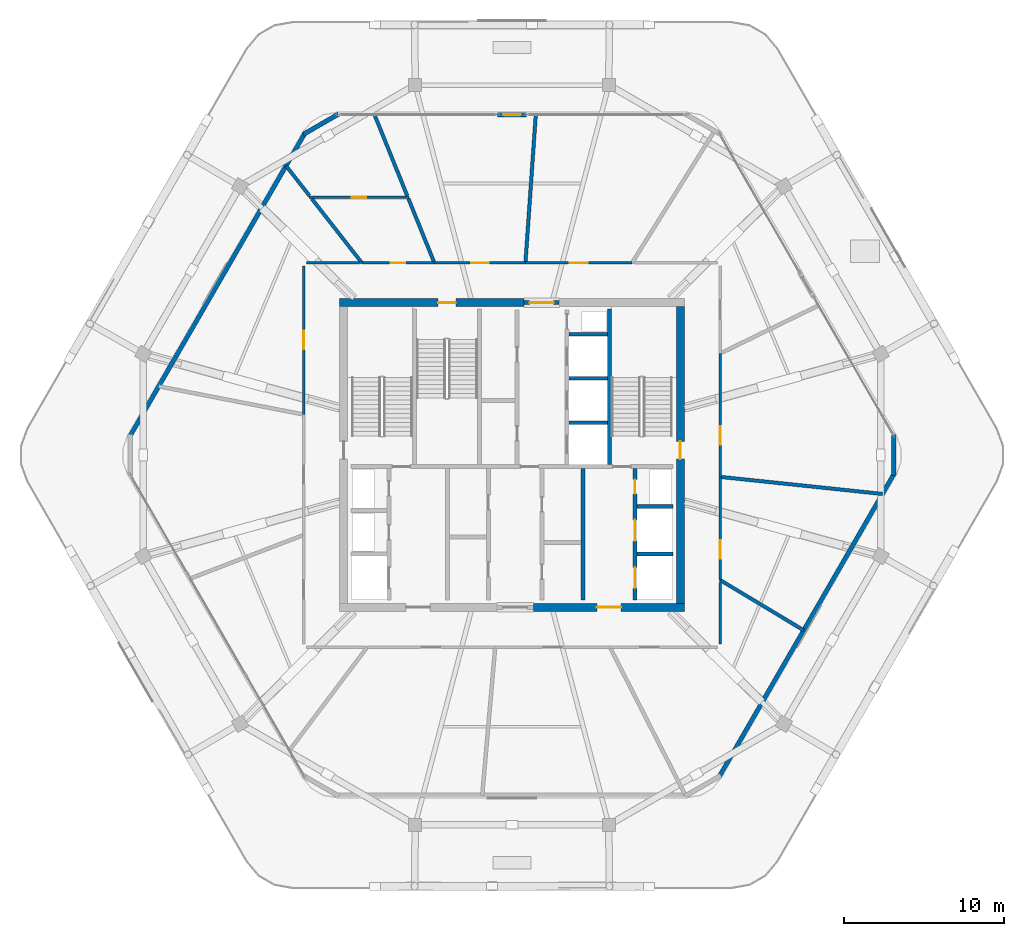
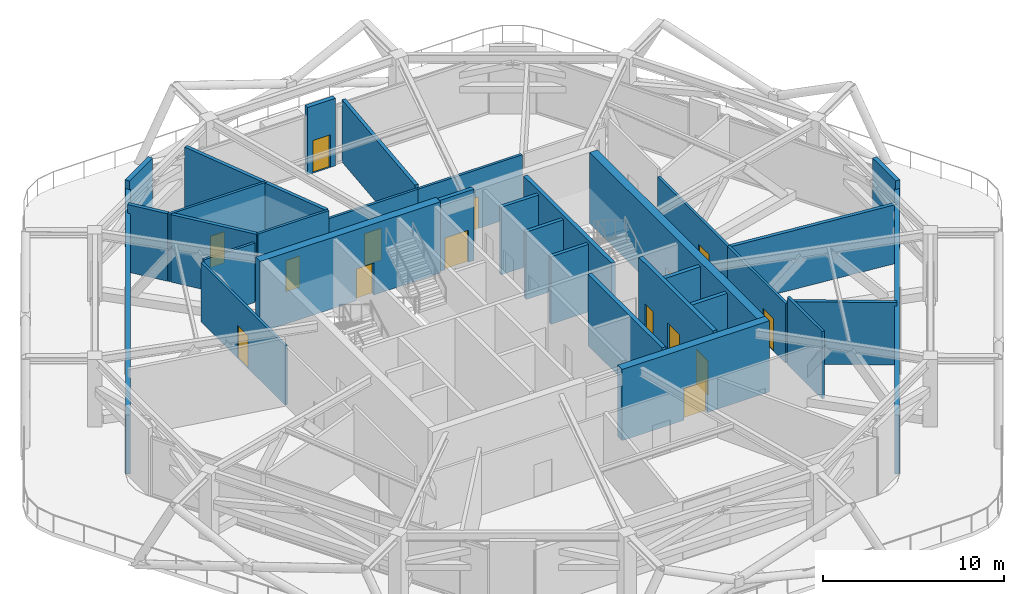
# One storey, part 14 of 19: 33 walls, 15 doors, 15 openings.
"""IFC4 building model written with IfcOpenShell, lengths in metres."""

from ifc_helpers import new_model, si_unit, direction, frame, frame_2d, origin, place, context, subcontext, project, spatial, rectangle, extrude, material, layer, layer_set, type_object, element, fill, save


model = new_model("IFC4")

# Units and contexts
model_context = context("Model", 3, precision=1e-05, world=origin(), true_north=direction((0.0, 1.0)))
body_context = subcontext(model_context, "Body", "Model", "MODEL_VIEW")
ifc_project = project(units=[si_unit("LENGTHUNIT", "METRE"), si_unit("AREAUNIT", "SQUARE_METRE"), si_unit("VOLUMEUNIT", "CUBIC_METRE"), si_unit("PLANEANGLEUNIT", "RADIAN"), si_unit("MASSUNIT", "GRAM", prefix="KILO")], contexts=[model_context])

# Site, building, storey
site_placement = place(None, origin())
site = spatial("IfcSite", under=ifc_project, at=site_placement, CompositionType="ELEMENT")
building_placement = place(site_placement, origin())
building = spatial("IfcBuilding", under=site, at=building_placement, Name="Zuhravey Tower", CompositionType="ELEMENT")
storey_placement = place(building_placement, frame((0.0, 0.0, 303.39990234375)))
storey = spatial("IfcBuildingStorey", under=building, at=storey_placement, Name="L77", CompositionType="ELEMENT", Elevation=303.39990234375)

# Wall, opening, door
ifc_material_1 = material(Name="Concrete C50/60", Category="concrete")
ifc_layer_1 = layer(ifc_material_1, 0.5)
ifc_layer_set_1 = layer_set([ifc_layer_1], Name="Concrete C50/60")
wall_type_1 = type_object("IfcWallType", Name="Core Shear Wall 500", PredefinedType="SHEAR", material=ifc_layer_set_1)
wall_1_placement = place(storey_placement, frame((37.35009765625, 22.5, 0.0), z_axis=(0.0, 0.0, 1.0), x_axis=(1.0, 0.0, 0.0)))
wall_1 = element("IfcWall", 1, at=wall_1_placement, inside=storey, type_object=wall_type_1, Name="L77 South-East Core Shear Wall CW50", PredefinedType="SHEAR", context=body_context, shape_type="SweptSolid", body=[
    extrude(rectangle(XDim=9.39990234375, YDim=0.5, at=frame_2d((4.699951171875, 0.0))), origin(), (0.0, 0.0, 1.0), 4.800048828125),
])
opening_1_placement = place(wall_1_placement, frame((3.949951171875, 0.0, 0.0)))
opening_1 = element("IfcOpeningElement", 2, at=opening_1_placement, cuts=wall_1, Name="Opening FFD1", PredefinedType="OPENING", context=body_context, shape_type="SweptSolid", body=[
    extrude(rectangle(XDim=1.5, YDim=2.14990234375, at=frame_2d((0.75, 1.074951171875))), frame((0.0, 0.261962890625, 0.0), z_axis=(0.0, -1.0, 0.0), x_axis=(1.0, 0.0, 0.0)), (0.0, 0.0, 1.0), 0.52392578125),
])
ifc_material_2 = material(Name="Galvanised fire-rated steel leaf", Category="steel")
door_type_1 = type_object("IfcDoorType", Name="Firefighting Lobby Double Door 1500x2150", OperationType="DOUBLE_DOOR_SINGLE_SWING", PredefinedType="DOOR", material=ifc_material_2)
door_1_placement = place(opening_1_placement, origin())
door_1 = element("IfcDoor", 3, at=door_1_placement, inside=storey, type_object=door_type_1, Name="L77 Firefighting Lobby East Door", OperationType="DOUBLE_DOOR_SINGLE_SWING", OverallHeight=2.14990234375, OverallWidth=1.5, PredefinedType="DOOR", context=body_context, shape_type="SweptSolid", body=[
    extrude(rectangle(XDim=1.5, YDim=2.14990234375, at=frame_2d((0.75, 1.074951171875))), frame((0.0, 0.02490234375, 0.0), z_axis=(0.0, -1.0, 0.0), x_axis=(1.0, 0.0, 0.0)), (0.0, 0.0, 1.0), 0.050048828125),
])
fill(opening_1, door_1)

wall_2_placement = place(storey_placement, frame((36.75, 41.5, 0.0), z_axis=(0.0, 0.0, 1.0), x_axis=(-1.0, 0.0, 0.0)))
wall_2 = element("IfcWall", 4, at=wall_2_placement, inside=storey, type_object=wall_type_1, Name="L77 North-West Core Shear Wall CW50", PredefinedType="SHEAR", context=body_context, shape_type="SweptSolid", body=[
    extrude(rectangle(XDim=11.5, YDim=0.5, at=frame_2d((5.75, 0.0))), origin(), (0.0, 0.0, 1.0), 4.800048828125),
])
opening_2_placement = place(wall_2_placement, frame((4.25, 0.0, 0.0)))
opening_2 = element("IfcOpeningElement", 5, at=opening_2_placement, cuts=wall_2, Name="Opening STD1", PredefinedType="OPENING", context=body_context, shape_type="SweptSolid", body=[
    extrude(rectangle(XDim=1.10009765625, YDim=2.14990234375, at=frame_2d((0.550048828125, 1.074951171875))), frame((0.0, 0.261962890625, 0.0), z_axis=(0.0, -1.0, 0.0), x_axis=(1.0, 0.0, 0.0)), (0.0, 0.0, 1.0), 0.52392578125),
])
door_type_2 = type_object("IfcDoorType", Name="Protected Stair Fire Door 1100x2150", OperationType="NOTDEFINED", PredefinedType="USERDEFINED", material=ifc_material_2)
door_2_placement = place(opening_2_placement, origin())
door_2 = element("IfcDoor", 6, at=door_2_placement, inside=storey, type_object=door_type_2, Name="L77 Stair ST3 Door", ObjectType="EXITDOOR", OperationType="SINGLE_SWING_LEFT", OverallHeight=2.14990234375, OverallWidth=1.10009765625, PredefinedType="USERDEFINED", context=body_context, shape_type="SweptSolid", body=[
    extrude(rectangle(XDim=1.10009765625, YDim=2.14990234375, at=frame_2d((0.550048828125, 1.074951171875))), frame((0.0, 0.02490234375, 0.0), z_axis=(0.0, -1.0, 0.0), x_axis=(1.0, 0.0, 0.0)), (0.0, 0.0, 1.0), 0.050048828125),
])
fill(opening_2, door_2)

wall_3_placement = place(storey_placement, frame((46.5, 22.75, 0.0), z_axis=(0.0, 0.0, 1.0), x_axis=(0.0, 1.0, 0.0)))
wall_3 = element("IfcWall", 7, at=wall_3_placement, inside=storey, type_object=wall_type_1, Name="L77 East Core Shear Wall CW50", PredefinedType="SHEAR", context=body_context, shape_type="SweptSolid", body=[
    extrude(rectangle(XDim=18.5, YDim=0.5, at=frame_2d((9.25, 0.0))), origin(), (0.0, 0.0, 1.0), 4.800048828125),
])
opening_3_placement = place(wall_3_placement, frame((9.0, 0.0, 0.0)))
opening_3 = element("IfcOpeningElement", 8, at=opening_3_placement, cuts=wall_3, Name="Opening STD1", PredefinedType="OPENING", context=body_context, shape_type="SweptSolid", body=[
    extrude(rectangle(XDim=1.10009765625, YDim=2.14990234375, at=frame_2d((0.550048828125, 1.074951171875))), frame((0.0, 0.261962890625, 0.0), z_axis=(0.0, -1.0, 0.0), x_axis=(1.0, 0.0, 0.0)), (0.0, 0.0, 1.0), 0.52392578125),
])
door_3_placement = place(opening_3_placement, origin())
door_3 = element("IfcDoor", 9, at=door_3_placement, inside=storey, type_object=door_type_2, Name="L77 Stair ST2 Door", ObjectType="EXITDOOR", OperationType="SINGLE_SWING_RIGHT", OverallHeight=2.14990234375, OverallWidth=1.10009765625, PredefinedType="USERDEFINED", context=body_context, shape_type="SweptSolid", body=[
    extrude(rectangle(XDim=1.10009765625, YDim=2.14990234375, at=frame_2d((0.550048828125, 1.074951171875))), frame((0.0, 0.02490234375, 0.0), z_axis=(0.0, -1.0, 0.0), x_axis=(1.0, 0.0, 0.0)), (0.0, 0.0, 1.0), 0.050048828125),
])
fill(opening_3, door_3)

ifc_material_3 = material(Name="Gypsum fire-rated stud partition")
ifc_layer_2 = layer(ifc_material_3, 0.159912109375)
ifc_layer_set_2 = layer_set([ifc_layer_2], Name="Gypsum fire-rated stud partition")
wall_type_2 = type_object("IfcWallType", Name="Corridor Fire Partition 160", PredefinedType="PARTITIONING", material=ifc_layer_set_2)
wall_4_placement = place(storey_placement, frame((43.48583984375, 43.97998046875, 0.0), z_axis=(0.0, 0.0, 1.0), x_axis=(-1.0, 0.0, 0.0)))
wall_4 = element("IfcWall", 10, at=wall_4_placement, inside=storey, type_object=wall_type_2, Name="L77 IW16 Partition 021", PredefinedType="PARTITIONING", context=body_context, shape_type="SweptSolid", body=[
    extrude(rectangle(XDim=6.648193359375, YDim=0.159912109375, at=frame_2d((3.32421875, 0.0))), origin(), (0.0, 0.0, 1.0), 4.0),
])
opening_4_placement = place(wall_4_placement, frame((2.774169921875, 0.0, 0.0)))
opening_4 = element("IfcOpeningElement", 11, at=opening_4_placement, cuts=wall_4, Name="Opening STD1", PredefinedType="OPENING", context=body_context, shape_type="SweptSolid", body=[
    extrude(rectangle(XDim=1.10009765625, YDim=2.14990234375, at=frame_2d((0.550048828125, 1.074951171875))), frame((0.0, 0.092041015625, 0.0), z_axis=(0.0, -1.0, 0.0), x_axis=(1.0, 0.0, 0.0)), (0.0, 0.0, 1.0), 0.183837890625),
])
door_4_placement = place(opening_4_placement, frame((1.10009765625, 0.0, 0.0), z_axis=(0.0, 0.0, 1.0), x_axis=(-1.0, 0.0, 0.0)))
door_4 = element("IfcDoor", 12, at=door_4_placement, inside=storey, type_object=door_type_2, Name="L77 Door 021.1", ObjectType="EXITDOOR", OperationType="SINGLE_SWING_LEFT", OverallHeight=2.14990234375, OverallWidth=1.10009765625, PredefinedType="USERDEFINED", context=body_context, shape_type="SweptSolid", body=[
    extrude(rectangle(XDim=1.10009765625, YDim=2.14990234375, at=frame_2d((0.550048828125, 1.074951171875))), frame((0.0, 0.02490234375, 0.0), z_axis=(0.0, -1.0, 0.0), x_axis=(1.0, 0.0, 0.0)), (0.0, 0.0, 1.0), 0.050048828125),
])
fill(opening_4, door_4)

wall_5_placement = place(storey_placement, frame((36.837646484375, 43.97998046875, 0.0), z_axis=(0.0, 0.0, 1.0), x_axis=(-1.0, 0.0, 0.0)))
wall_5 = element("IfcWall", 13, at=wall_5_placement, inside=storey, type_object=wall_type_2, Name="L77 IW16 Partition 022", PredefinedType="PARTITIONING", context=body_context, shape_type="SweptSolid", body=[
    extrude(rectangle(XDim=5.677734375, YDim=0.159912109375, at=frame_2d((2.8388671875, 0.0))), origin(), (0.0, 0.0, 1.0), 4.0),
])
opening_5_placement = place(wall_5_placement, frame((2.288818359375, 0.0, 0.0)))
opening_5 = element("IfcOpeningElement", 14, at=opening_5_placement, cuts=wall_5, Name="Opening STD1", PredefinedType="OPENING", context=body_context, shape_type="SweptSolid", body=[
    extrude(rectangle(XDim=1.10009765625, YDim=2.14990234375, at=frame_2d((0.550048828125, 1.074951171875))), frame((0.0, 0.092041015625, 0.0), z_axis=(0.0, -1.0, 0.0), x_axis=(1.0, 0.0, 0.0)), (0.0, 0.0, 1.0), 0.183837890625),
])
door_5_placement = place(opening_5_placement, frame((1.10009765625, 0.0, 0.0), z_axis=(0.0, 0.0, 1.0), x_axis=(-1.0, 0.0, 0.0)))
door_5 = element("IfcDoor", 15, at=door_5_placement, inside=storey, type_object=door_type_2, Name="L77 Door 022.1", ObjectType="EXITDOOR", OperationType="SINGLE_SWING_RIGHT", OverallHeight=2.14990234375, OverallWidth=1.10009765625, PredefinedType="USERDEFINED", context=body_context, shape_type="SweptSolid", body=[
    extrude(rectangle(XDim=1.10009765625, YDim=2.14990234375, at=frame_2d((0.550048828125, 1.074951171875))), frame((0.0, 0.02490234375, 0.0), z_axis=(0.0, -1.0, 0.0), x_axis=(1.0, 0.0, 0.0)), (0.0, 0.0, 1.0), 0.050048828125),
])
fill(opening_5, door_5)

wall_6_placement = place(storey_placement, frame((23.33544921875, 48.080078125, 0.0), z_axis=(0.0, 0.0, 1.0), x_axis=(1.0, 0.0, 0.0)))
wall_6 = element("IfcWall", 16, at=wall_6_placement, inside=storey, type_object=wall_type_2, Name="L77 IW16 Partition 023", PredefinedType="PARTITIONING", context=body_context, shape_type="SweptSolid", body=[
    extrude(rectangle(XDim=6.254150390625, YDim=0.159912109375, at=frame_2d((3.126953125, 0.0))), origin(), (0.0, 0.0, 1.0), 4.550048828125),
])
opening_6_placement = place(wall_6_placement, frame((2.677001953125, 0.0, 0.0)))
opening_6 = element("IfcOpeningElement", 17, at=opening_6_placement, cuts=wall_6, Name="Opening RSD1", PredefinedType="OPENING", context=body_context, shape_type="SweptSolid", body=[
    extrude(rectangle(XDim=0.89990234375, YDim=2.10009765625, at=frame_2d((0.449951171875, 1.050048828125))), frame((0.0, 0.092041015625, 0.0), z_axis=(0.0, -1.0, 0.0), x_axis=(1.0, 0.0, 0.0)), (0.0, 0.0, 1.0), 0.183837890625),
])
ifc_material_4 = material(Name="Galvanised fire-rated steel access leaf", Category="steel")
door_type_3 = type_object("IfcDoorType", Name="Riser & Shaft Access Fire Door 900x2100", OperationType="NOTDEFINED", PredefinedType="DOOR", material=ifc_material_4)
door_6_placement = place(opening_6_placement, origin())
door_6 = element("IfcDoor", 18, at=door_6_placement, inside=storey, type_object=door_type_3, Name="L77 Door 023.1", OperationType="SINGLE_SWING_LEFT", OverallHeight=2.10009765625, OverallWidth=0.89990234375, PredefinedType="DOOR", context=body_context, shape_type="SweptSolid", body=[
    extrude(rectangle(XDim=0.89990234375, YDim=2.10009765625, at=frame_2d((0.449951171875, 1.050048828125))), frame((0.0, 0.02490234375, 0.0), z_axis=(0.0, -1.0, 0.0), x_axis=(1.0, 0.0, 0.0)), (0.0, 0.0, 1.0), 0.050048828125),
])
fill(opening_6, door_6)

wall_7_placement = place(storey_placement, frame((31.159912109375, 43.97998046875, 0.0), z_axis=(0.0, 0.0, 1.0), x_axis=(-1.0, 0.0, 0.0)))
wall_7 = element("IfcWall", 19, at=wall_7_placement, inside=storey, type_object=wall_type_2, Name="L77 IW16 Partition 024", PredefinedType="PARTITIONING", context=body_context, shape_type="SweptSolid", body=[
    extrude(rectangle(XDim=4.519775390625, YDim=0.159912109375, at=frame_2d((2.259765625, 0.0))), origin(), (0.0, 0.0, 1.0), 4.550048828125),
])
opening_7_placement = place(wall_7_placement, frame((1.809814453125, 0.0, 0.0)))
opening_7 = element("IfcOpeningElement", 20, at=opening_7_placement, cuts=wall_7, Name="Opening RSD1", PredefinedType="OPENING", context=body_context, shape_type="SweptSolid", body=[
    extrude(rectangle(XDim=0.89990234375, YDim=2.10009765625, at=frame_2d((0.449951171875, 1.050048828125))), frame((0.0, 0.092041015625, 0.0), z_axis=(0.0, -1.0, 0.0), x_axis=(1.0, 0.0, 0.0)), (0.0, 0.0, 1.0), 0.183837890625),
])
door_7_placement = place(opening_7_placement, frame((0.89990234375, 0.0, 0.0), z_axis=(0.0, 0.0, 1.0), x_axis=(-1.0, 0.0, 0.0)))
door_7 = element("IfcDoor", 21, at=door_7_placement, inside=storey, type_object=door_type_3, Name="L77 Door 024.1", OperationType="SINGLE_SWING_RIGHT", OverallHeight=2.10009765625, OverallWidth=0.89990234375, PredefinedType="DOOR", context=body_context, shape_type="SweptSolid", body=[
    extrude(rectangle(XDim=0.89990234375, YDim=2.10009765625, at=frame_2d((0.449951171875, 1.050048828125))), frame((0.0, 0.02490234375, 0.0), z_axis=(0.0, -1.0, 0.0), x_axis=(1.0, 0.0, 0.0)), (0.0, 0.0, 1.0), 0.050048828125),
])
fill(opening_7, door_7)

wall_8_placement = place(storey_placement, frame((23.02001953125, 43.800048828125, 0.0), z_axis=(0.0, 0.0, 1.0), x_axis=(0.0, -1.0, 0.0)))
wall_8 = element("IfcWall", 22, at=wall_8_placement, inside=storey, type_object=wall_type_2, Name="L77 IW16 Partition 025", PredefinedType="PARTITIONING", context=body_context, shape_type="SweptSolid", body=[
    extrude(rectangle(XDim=9.27685546875, YDim=0.159912109375, at=frame_2d((4.638427734375, 0.0))), origin(), (0.0, 0.0, 1.0), 4.0),
])
opening_8_placement = place(wall_8_placement, frame((4.0634765625, 0.0, 0.0)))
opening_8 = element("IfcOpeningElement", 23, at=opening_8_placement, cuts=wall_8, Name="Opening CLD1", PredefinedType="OPENING", context=body_context, shape_type="SweptSolid", body=[
    extrude(rectangle(XDim=1.14990234375, YDim=2.199951171875, at=frame_2d((0.574951171875, 1.10009765625))), frame((0.0, 0.092041015625, 0.0), z_axis=(0.0, -1.0, 0.0), x_axis=(1.0, 0.0, 0.0)), (0.0, 0.0, 1.0), 0.183837890625),
])
ifc_material_5 = material(Name="Acoustic timber leaf with vision lite", Category="wood")
door_type_4 = type_object("IfcDoorType", Name="Classroom Acoustic Door 1150x2200", OperationType="NOTDEFINED", PredefinedType="DOOR", material=ifc_material_5)
door_8_placement = place(opening_8_placement, frame((1.14990234375, 0.0, 0.0), z_axis=(0.0, 0.0, 1.0), x_axis=(-1.0, 0.0, 0.0)))
door_8 = element("IfcDoor", 24, at=door_8_placement, inside=storey, type_object=door_type_4, Name="L77 Door 025.1", OperationType="SINGLE_SWING_LEFT", OverallHeight=2.199951171875, OverallWidth=1.14990234375, PredefinedType="DOOR", context=body_context, shape_type="SweptSolid", body=[
    extrude(rectangle(XDim=1.14990234375, YDim=2.199951171875, at=frame_2d((0.574951171875, 1.10009765625))), frame((0.0, 0.02490234375, 0.0), z_axis=(0.0, -1.0, 0.0), x_axis=(1.0, 0.0, 0.0)), (0.0, 0.0, 1.0), 0.050048828125),
])
fill(opening_8, door_8)

wall_9_placement = place(storey_placement, frame((48.97998046875, 24.20068359375, 0.0), z_axis=(0.0, 0.0, 1.0), x_axis=(0.0, 1.0, 0.0)))
wall_9 = element("IfcWall", 25, at=wall_9_placement, inside=storey, type_object=wall_type_2, Name="L77 IW16 Partition 031", PredefinedType="PARTITIONING", context=body_context, shape_type="SweptSolid", body=[
    extrude(rectangle(XDim=6.43505859375, YDim=0.159912109375, at=frame_2d((3.217529296875, 0.0))), origin(), (0.0, 0.0, 1.0), 4.0),
])
opening_9_placement = place(wall_9_placement, frame((1.339111328125, 0.0, 0.0)))
opening_9 = element("IfcOpeningElement", 26, at=opening_9_placement, cuts=wall_9, Name="Opening CLD1", PredefinedType="OPENING", context=body_context, shape_type="SweptSolid", body=[
    extrude(rectangle(XDim=1.14990234375, YDim=2.199951171875, at=frame_2d((0.574951171875, 1.10009765625))), frame((0.0, 0.092041015625, 0.0), z_axis=(0.0, -1.0, 0.0), x_axis=(1.0, 0.0, 0.0)), (0.0, 0.0, 1.0), 0.183837890625),
])
door_9_placement = place(opening_9_placement, frame((1.14990234375, 0.0, 0.0), z_axis=(0.0, 0.0, 1.0), x_axis=(-1.0, 0.0, 0.0)))
door_9 = element("IfcDoor", 27, at=door_9_placement, inside=storey, type_object=door_type_4, Name="L77 Door 031.1", OperationType="SINGLE_SWING_LEFT", OverallHeight=2.199951171875, OverallWidth=1.14990234375, PredefinedType="DOOR", context=body_context, shape_type="SweptSolid", body=[
    extrude(rectangle(XDim=1.14990234375, YDim=2.199951171875, at=frame_2d((0.574951171875, 1.10009765625))), frame((0.0, 0.02490234375, 0.0), z_axis=(0.0, -1.0, 0.0), x_axis=(1.0, 0.0, 0.0)), (0.0, 0.0, 1.0), 0.050048828125),
])
fill(opening_9, door_9)

wall_10_placement = place(storey_placement, frame((48.97998046875, 30.6357421875, 0.0), z_axis=(0.0, 0.0, 1.0), x_axis=(0.0, 1.0, 0.0)))
wall_10 = element("IfcWall", 28, at=wall_10_placement, inside=storey, type_object=wall_type_2, Name="L77 IW16 Partition 032", PredefinedType="PARTITIONING", context=body_context, shape_type="SweptSolid", body=[
    extrude(rectangle(XDim=7.695068359375, YDim=0.159912109375, at=frame_2d((3.84765625, 0.0))), origin(), (0.0, 0.0, 1.0), 4.0),
])
opening_10_placement = place(wall_10_placement, frame((2.0078125, 0.0, 0.0)))
opening_10 = element("IfcOpeningElement", 29, at=opening_10_placement, cuts=wall_10, Name="Opening CLD1", PredefinedType="OPENING", context=body_context, shape_type="SweptSolid", body=[
    extrude(rectangle(XDim=1.14990234375, YDim=2.199951171875, at=frame_2d((0.574951171875, 1.10009765625))), frame((0.0, 0.092041015625, 0.0), z_axis=(0.0, -1.0, 0.0), x_axis=(1.0, 0.0, 0.0)), (0.0, 0.0, 1.0), 0.183837890625),
])
door_10_placement = place(opening_10_placement, frame((1.14990234375, 0.0, 0.0), z_axis=(0.0, 0.0, 1.0), x_axis=(-1.0, 0.0, 0.0)))
door_10 = element("IfcDoor", 30, at=door_10_placement, inside=storey, type_object=door_type_4, Name="L77 Door 032.1", OperationType="SINGLE_SWING_RIGHT", OverallHeight=2.199951171875, OverallWidth=1.14990234375, PredefinedType="DOOR", context=body_context, shape_type="SweptSolid", body=[
    extrude(rectangle(XDim=1.14990234375, YDim=2.199951171875, at=frame_2d((0.574951171875, 1.10009765625))), frame((0.0, 0.02490234375, 0.0), z_axis=(0.0, -1.0, 0.0), x_axis=(1.0, 0.0, 0.0)), (0.0, 0.0, 1.0), 0.050048828125),
])
fill(opening_10, door_10)

# Walls
wall_11_placement = place(storey_placement, frame((26.474853515625, 44.0, 0.0), z_axis=(0.0, 0.0, 1.0), x_axis=(-1.0, 0.0, 0.0)))
element("IfcWall", 31, at=wall_11_placement, inside=storey, type_object=wall_type_2, Name="L77 IW16 Partition 052", PredefinedType="PARTITIONING", context=body_context, shape_type="SweptSolid", body=[
    extrude(rectangle(XDim=3.27490234375, YDim=0.159912109375, at=frame_2d((1.637451171875, 0.0))), origin(), (0.0, 0.0, 1.0), 4.0),
])
wall_12_placement = place(storey_placement, frame((49.0, 20.199951171875, 0.0), z_axis=(0.0, 0.0, 1.0), x_axis=(0.0, 1.0, 0.0)))
element("IfcWall", 32, at=wall_12_placement, inside=storey, type_object=wall_type_2, Name="L77 IW16 Partition 054", PredefinedType="PARTITIONING", context=body_context, shape_type="SweptSolid", body=[
    extrude(rectangle(XDim=3.85107421875, YDim=0.159912109375, at=frame_2d((1.925537109375, 0.0))), origin(), (0.0, 0.0, 1.0), 4.550048828125),
])
ifc_material_6 = material(Name="Precast concrete C40/50", Category="concrete")
ifc_layer_3 = layer(ifc_material_6, 0.280029296875)
ifc_layer_set_3 = layer_set([ifc_layer_3], Name="Precast concrete C40/50")
wall_type_3 = type_object("IfcWallType", Name="Crown Architectural Wall 280", PredefinedType="SOLIDWALL", material=ifc_layer_set_3)
for number, where, z_axis, x_axis, name in (
    (33, (59.869384765625, 30.894775390625, 0.0), (0.0, 0.0, 1.0), (-0.499999675036, -0.866025591402, 0.0), "L77 Face 6 Plant Enclosure Wall EW28"),
    (34, (12.130615234375, 33.105224609375, 0.0), (0.0, 0.0, 1.0), (0.499999675036, 0.866025591402, 0.0), "L77 Face 3 Plant Enclosure Wall EW28"),
):
    element("IfcWall", number, at=place(storey_placement, frame(where, z_axis=z_axis, x_axis=x_axis)), inside=storey, type_object=wall_type_3, Name=name, PredefinedType="SOLIDWALL", context=body_context, shape_type="SweptSolid", body=[
        extrude(rectangle(XDim=21.955078125, YDim=0.280029296875, at=frame_2d((10.9775390625, 0.0))), origin(), (0.0, 0.0, 1.0), 3.97021484375),
    ])
wall_13_placement = place(storey_placement, frame((22.978515625, 51.989013671875, 0.0), z_axis=(0.0, 0.0, 1.0), x_axis=(0.866014388206, 0.500019079056, 0.0)))
element("IfcWall", 35, at=wall_13_placement, inside=storey, type_object=wall_type_3, Name="L77 Rounded Corner Closure Wall EW28-08", PredefinedType="SOLIDWALL", context=body_context, shape_type="SweptSolid", body=[
    extrude(rectangle(XDim=2.56494140625, YDim=0.280029296875, at=frame_2d((1.282470703125, 0.0))), origin(), (0.0, 0.0, 1.0), 4.550048828125),
])

# Wall, opening, door
wall_14_placement = place(storey_placement, frame((35.10498046875, 53.22412109375, 0.0), z_axis=(0.0, 0.0, 1.0), x_axis=(1.0, 0.0, 0.0)))
wall_14 = element("IfcWall", 36, at=wall_14_placement, inside=storey, type_object=wall_type_3, Name="L77 Face 2 Facade Pier EW28-1", PredefinedType="SOLIDWALL", context=body_context, shape_type="SweptSolid", body=[
    extrude(rectangle(XDim=1.7900390625, YDim=0.280029296875, at=frame_2d((0.89501953125, 0.0))), origin(), (0.0, 0.0, 1.0), 4.550048828125),
])
opening_11_placement = place(wall_14_placement, frame((0.344970703125, 0.0, 0.0)))
opening_11 = element("IfcOpeningElement", 37, at=opening_11_placement, cuts=wall_14, Name="Opening BLD1", PredefinedType="OPENING", context=body_context, shape_type="SweptSolid", body=[
    extrude(rectangle(XDim=1.10009765625, YDim=2.199951171875, at=frame_2d((0.550048828125, 1.10009765625))), frame((0.0, 0.152099609375, 0.0), z_axis=(0.0, -1.0, 0.0), x_axis=(1.0, 0.0, 0.0)), (0.0, 0.0, 1.0), 0.303955078125),
])
ifc_material_7 = material(Name="Thermally broken aluminium and low-E glass", Category="aluminium")
door_type_5 = type_object("IfcDoorType", Name="Balcony & Sky-Tray Glazed Door 1100x2200", OperationType="NOTDEFINED", PredefinedType="DOOR", material=ifc_material_7)
door_11_placement = place(opening_11_placement, frame((1.10009765625, 0.0, 0.0), z_axis=(0.0, 0.0, 1.0), x_axis=(-1.0, 0.0, 0.0)))
door_11 = element("IfcDoor", 38, at=door_11_placement, inside=storey, type_object=door_type_5, Name="L77 Fire Safety Refuge Area North Terrace Door", OperationType="SINGLE_SWING_LEFT", OverallHeight=2.199951171875, OverallWidth=1.10009765625, PredefinedType="DOOR", context=body_context, shape_type="SweptSolid", body=[
    extrude(rectangle(XDim=1.10009765625, YDim=2.199951171875, at=frame_2d((0.550048828125, 1.10009765625))), frame((0.0, 0.02490234375, 0.0), z_axis=(0.0, -1.0, 0.0), x_axis=(1.0, 0.0, 0.0)), (0.0, 0.0, 1.0), 0.050048828125),
])
fill(opening_11, door_11)

# Wall
wall_15_placement = place(storey_placement, frame((59.82177734375, 33.282470703125, 0.0), z_axis=(0.0, 0.0, 1.0), x_axis=(0.0, -1.0, 0.0)))
element("IfcWall", 39, at=wall_15_placement, inside=storey, type_object=wall_type_3, Name="L77 Rounded Corner Closure Wall EW28-12", PredefinedType="SOLIDWALL", context=body_context, shape_type="SweptSolid", body=[
    extrude(rectangle(XDim=2.56494140625, YDim=0.280029296875, at=frame_2d((1.282470703125, 0.0))), origin(), (0.0, 0.0, 1.0), 4.550048828125),
])

# Wall, opening, door
ifc_layer_4 = layer(ifc_material_1, 0.25)
ifc_layer_set_4 = layer_set([ifc_layer_4], Name="Concrete C50/60")
wall_type_4 = type_object("IfcWallType", Name="Firefighting Shaft & Stair Wall 250", PredefinedType="SOLIDWALL", material=ifc_layer_set_4)
wall_16_placement = place(storey_placement, frame((36.760009765625, 41.5, 0.0), z_axis=(0.0, 0.0, 1.0), x_axis=(1.0, 0.0, 0.0)))
wall_16 = element("IfcWall", 40, at=wall_16_placement, inside=storey, type_object=wall_type_4, Name="L77 FW25 Shaft Wall 002", PredefinedType="SOLIDWALL", context=body_context, shape_type="SweptSolid", body=[
    extrude(rectangle(XDim=2.179931640625, YDim=0.25, at=frame_2d((1.08984375, 0.0))), origin(), (0.0, 0.0, 1.0), 4.800048828125),
])
opening_12_placement = place(wall_16_placement, frame((0.340087890625, 0.0, 0.0)))
opening_12 = element("IfcOpeningElement", 41, at=opening_12_placement, cuts=wall_16, Name="Opening FFD1", PredefinedType="OPENING", context=body_context, shape_type="SweptSolid", body=[
    extrude(rectangle(XDim=1.5, YDim=2.14990234375, at=frame_2d((0.75, 1.074951171875))), frame((0.0, 0.136962890625, 0.0), z_axis=(0.0, -1.0, 0.0), x_axis=(1.0, 0.0, 0.0)), (0.0, 0.0, 1.0), 0.27392578125),
])
door_12_placement = place(opening_12_placement, origin())
door_12 = element("IfcDoor", 42, at=door_12_placement, inside=storey, type_object=door_type_1, Name="L77 North Lift Lobby Exit Door", OperationType="DOUBLE_DOOR_SINGLE_SWING", OverallHeight=2.14990234375, OverallWidth=1.5, PredefinedType="DOOR", context=body_context, shape_type="SweptSolid", body=[
    extrude(rectangle(XDim=1.5, YDim=2.14990234375, at=frame_2d((0.75, 1.074951171875))), frame((0.0, 0.02490234375, 0.0), z_axis=(0.0, -1.0, 0.0), x_axis=(1.0, 0.0, 0.0)), (0.0, 0.0, 1.0), 0.050048828125),
])
fill(opening_12, door_12)

# Walls
wall_17_placement = place(storey_placement, frame((42.074951171875, 31.39990234375, 0.0), z_axis=(0.0, 0.0, 1.0), x_axis=(0.0, 1.0, 0.0)))
element("IfcWall", 43, at=wall_17_placement, inside=storey, type_object=wall_type_4, Name="L77 FW25 Shaft Wall 006", PredefinedType="SOLIDWALL", context=body_context, shape_type="SweptSolid", body=[
    extrude(rectangle(XDim=9.7001953125, YDim=0.25, at=frame_2d((4.85009765625, 0.0))), origin(), (0.0, 0.0, 1.0), 4.800048828125),
])
wall_18_placement = place(storey_placement, frame((40.425048828125, 22.949951171875, 0.0), z_axis=(0.0, 0.0, 1.0), x_axis=(0.0, 1.0, 0.0)))
element("IfcWall", 44, at=wall_18_placement, inside=storey, type_object=wall_type_4, Name="L77 FW25 Shaft Wall 017", PredefinedType="SOLIDWALL", context=body_context, shape_type="SweptSolid", body=[
    extrude(rectangle(XDim=8.199951171875, YDim=0.25, at=frame_2d((4.10009765625, 0.0))), origin(), (0.0, 0.0, 1.0), 4.800048828125),
])
for number, where, z_axis, x_axis, name in (
    (45, (43.800048828125, 25.824951171875, 0.0), (0.0, 0.0, 1.0), (1.0, 0.0, 0.0), "L77 FW25 Shaft Wall 018"),
    (46, (43.800048828125, 28.77490234375, 0.0), (0.0, 0.0, 1.0), (1.0, 0.0, 0.0), "L77 FW25 Shaft Wall 019"),
):
    element("IfcWall", number, at=place(storey_placement, frame(where, z_axis=z_axis, x_axis=x_axis)), inside=storey, type_object=wall_type_4, Name=name, PredefinedType="SOLIDWALL", context=body_context, shape_type="SweptSolid", body=[
        extrude(rectangle(XDim=2.25, YDim=0.25, at=frame_2d((1.125, 0.0))), origin(), (0.0, 0.0, 1.0), 4.800048828125),
    ])

# Wall, openings, doors
wall_19_placement = place(storey_placement, frame((43.675048828125, 22.949951171875, 0.0), z_axis=(0.0, 0.0, 1.0), x_axis=(0.0, 1.0, 0.0)))
wall_19 = element("IfcWall", 47, at=wall_19_placement, inside=storey, type_object=wall_type_4, Name="L77 FW25 Shaft Wall 020", PredefinedType="SOLIDWALL", context=body_context, shape_type="SweptSolid", body=[
    extrude(rectangle(XDim=8.199951171875, YDim=0.25, at=frame_2d((4.10009765625, 0.0))), origin(), (0.0, 0.0, 1.0), 4.800048828125),
])
opening_13_placement = place(wall_19_placement, frame((0.75, 0.0, 0.0)))
opening_13 = element("IfcOpeningElement", 48, at=opening_13_placement, cuts=wall_19, Name="Opening LD2", PredefinedType="OPENING", context=body_context, shape_type="SweptSolid", body=[
    extrude(rectangle(XDim=1.300048828125, YDim=2.300048828125, at=frame_2d((0.64990234375, 1.14990234375))), frame((0.0, 0.136962890625, 0.0), z_axis=(0.0, -1.0, 0.0), x_axis=(1.0, 0.0, 0.0)), (0.0, 0.0, 1.0), 0.27392578125),
])
opening_14_placement = place(wall_19_placement, frame((3.699951171875, 0.0, 0.0)))
opening_14 = element("IfcOpeningElement", 49, at=opening_14_placement, cuts=wall_19, Name="Opening LD2", PredefinedType="OPENING", context=body_context, shape_type="SweptSolid", body=[
    extrude(rectangle(XDim=1.300048828125, YDim=2.300048828125, at=frame_2d((0.64990234375, 1.14990234375))), frame((0.0, 0.136962890625, 0.0), z_axis=(0.0, -1.0, 0.0), x_axis=(1.0, 0.0, 0.0)), (0.0, 0.0, 1.0), 0.27392578125),
])
opening_15_placement = place(wall_19_placement, frame((6.6201171875, 0.0, 0.0)))
opening_15 = element("IfcOpeningElement", 50, at=opening_15_placement, cuts=wall_19, Name="Opening RSD1", PredefinedType="OPENING", context=body_context, shape_type="SweptSolid", body=[
    extrude(rectangle(XDim=0.89990234375, YDim=2.10009765625, at=frame_2d((0.449951171875, 1.050048828125))), frame((0.0, 0.136962890625, 0.0), z_axis=(0.0, -1.0, 0.0), x_axis=(1.0, 0.0, 0.0)), (0.0, 0.0, 1.0), 0.27392578125),
])
ifc_material_8 = material(Name="Brushed stainless steel", Category="steel")
door_type_6 = type_object("IfcDoorType", Name="Freight & Stretcher Lift Sliding Door 1300x2300", OperationType="DOUBLE_DOOR_SLIDING", PredefinedType="DOOR", material=ifc_material_8)
door_13_placement = place(opening_13_placement, origin())
door_13 = element("IfcDoor", 51, at=door_13_placement, inside=storey, type_object=door_type_6, Name="L77 Lift FF2 Landing Door", OperationType="DOUBLE_DOOR_SLIDING", OverallHeight=2.300048828125, OverallWidth=1.300048828125, PredefinedType="DOOR", context=body_context, shape_type="SweptSolid", body=[
    extrude(rectangle(XDim=1.300048828125, YDim=2.300048828125, at=frame_2d((0.64990234375, 1.14990234375))), frame((0.0, 0.02490234375, 0.0), z_axis=(0.0, -1.0, 0.0), x_axis=(1.0, 0.0, 0.0)), (0.0, 0.0, 1.0), 0.050048828125),
])
fill(opening_13, door_13)
door_14_placement = place(opening_14_placement, origin())
door_14 = element("IfcDoor", 52, at=door_14_placement, inside=storey, type_object=door_type_6, Name="L77 Lift SV1 Landing Door", OperationType="DOUBLE_DOOR_SLIDING", OverallHeight=2.300048828125, OverallWidth=1.300048828125, PredefinedType="DOOR", context=body_context, shape_type="SweptSolid", body=[
    extrude(rectangle(XDim=1.300048828125, YDim=2.300048828125, at=frame_2d((0.64990234375, 1.14990234375))), frame((0.0, 0.02490234375, 0.0), z_axis=(0.0, -1.0, 0.0), x_axis=(1.0, 0.0, 0.0)), (0.0, 0.0, 1.0), 0.050048828125),
])
fill(opening_14, door_14)
door_15_placement = place(opening_15_placement, origin())
door_15 = element("IfcDoor", 53, at=door_15_placement, inside=storey, type_object=door_type_3, Name="L77 Plumbing Riser Door", OperationType="SINGLE_SWING_RIGHT", OverallHeight=2.10009765625, OverallWidth=0.89990234375, PredefinedType="DOOR", context=body_context, shape_type="SweptSolid", body=[
    extrude(rectangle(XDim=0.89990234375, YDim=2.10009765625, at=frame_2d((0.449951171875, 1.050048828125))), frame((0.0, 0.02490234375, 0.0), z_axis=(0.0, -1.0, 0.0), x_axis=(1.0, 0.0, 0.0)), (0.0, 0.0, 1.0), 0.050048828125),
])
fill(opening_15, door_15)

# Walls
ifc_material_9 = material(Name="Gypsum acoustic stud assembly")
ifc_layer_5 = layer(ifc_material_9, 0.219970703125)
ifc_layer_set_5 = layer_set([ifc_layer_5], Name="Gypsum acoustic stud assembly")
wall_type_5 = type_object("IfcWallType", Name="School Acoustic Compartment Wall 220", PredefinedType="PARTITIONING", material=ifc_layer_set_5)
for number, where, z_axis, x_axis, name in (
    (54, (39.55810546875, 34.02490234375, 0.0), (0.0, 0.0, 1.0), (1.0, 0.0, 0.0), "L77 IW22 Partition 035"),
    (55, (39.55810546875, 36.77490234375, 0.0), (0.0, 0.0, 1.0), (1.0, 0.0, 0.0), "L77 IW22 Partition 036"),
    (56, (39.55810546875, 39.52490234375, 0.0), (0.0, 0.0, 1.0), (1.0, 0.0, 0.0), "L77 IW22 Partition 037"),
):
    element("IfcWall", number, at=place(storey_placement, frame(where, z_axis=z_axis, x_axis=x_axis)), inside=storey, type_object=wall_type_5, Name=name, PredefinedType="PARTITIONING", context=body_context, shape_type="SweptSolid", body=[
        extrude(rectangle(XDim=2.3837890625, YDim=0.219970703125, at=frame_2d((1.19189453125, 0.0))), origin(), (0.0, 0.0, 1.0), 4.550048828125),
    ])
wall_20_placement = place(storey_placement, frame((36.843994140625, 44.068115234375, 0.0), z_axis=(0.0, 0.0, 1.0), x_axis=(0.069744159066, 0.99756491131, 0.0)))
element("IfcWall", 57, at=wall_20_placement, inside=storey, type_object=wall_type_5, Name="L77 IW22 Partition 039", PredefinedType="PARTITIONING", context=body_context, shape_type="SweptSolid", body=[
    extrude(rectangle(XDim=9.178466796875, YDim=0.219970703125, at=frame_2d((4.58935546875, 0.0))), origin(), (0.0, 0.0, 1.0), 4.2001953125),
])
wall_21_placement = place(storey_placement, frame((31.124267578125, 44.068115234375, 0.0), z_axis=(0.0, 0.0, 1.0), x_axis=(-0.374630918723, 0.927174026134, 0.0)))
element("IfcWall", 58, at=wall_21_placement, inside=storey, type_object=wall_type_5, Name="L77 IW22 Partition 040", PredefinedType="PARTITIONING", context=body_context, shape_type="SweptSolid", body=[
    extrude(rectangle(XDim=4.23193359375, YDim=0.219970703125, at=frame_2d((2.115966796875, 0.0))), origin(), (0.0, 0.0, 1.0), 4.550048828125),
])
wall_22_placement = place(storey_placement, frame((29.4677734375, 48.16796875, 0.0), z_axis=(0.0, 0.0, 1.0), x_axis=(-0.374630334439, 0.927174262217, 0.0)))
element("IfcWall", 59, at=wall_22_placement, inside=storey, type_object=wall_type_5, Name="L77 IW22 Partition 041", PredefinedType="PARTITIONING", context=body_context, shape_type="SweptSolid", body=[
    extrude(rectangle(XDim=5.453369140625, YDim=0.219970703125, at=frame_2d((2.7265625, 0.0))), origin(), (0.0, 0.0, 1.0), 4.550048828125),
])
wall_23_placement = place(storey_placement, frame((26.64013671875, 43.97998046875, 0.0), z_axis=(0.0, 0.0, 1.0), x_axis=(-0.615665444552, 0.788007652491, 0.0)))
element("IfcWall", 60, at=wall_23_placement, inside=storey, type_object=wall_type_5, Name="L77 IW22 Partition 042", PredefinedType="PARTITIONING", context=body_context, shape_type="SweptSolid", body=[
    extrude(rectangle(XDim=5.09130859375, YDim=0.219970703125, at=frame_2d((2.545654296875, 0.0))), origin(), (0.0, 0.0, 1.0), 4.550048828125),
])
wall_24_placement = place(storey_placement, frame((23.3681640625, 48.16796875, 0.0), z_axis=(0.0, 0.0, 1.0), x_axis=(-0.615634061296, 0.788032171026, 0.0)))
element("IfcWall", 61, at=wall_24_placement, inside=storey, type_object=wall_type_5, Name="L77 IW22 Partition 043", PredefinedType="PARTITIONING", context=body_context, shape_type="SweptSolid", body=[
    extrude(rectangle(XDim=2.37353515625, YDim=0.219970703125, at=frame_2d((1.186767578125, 0.0))), origin(), (0.0, 0.0, 1.0), 4.550048828125),
])
wall_25_placement = place(storey_placement, frame((48.97998046875, 24.20068359375, 0.0), z_axis=(0.0, 0.0, 1.0), x_axis=(0.857177655546, -0.515020841163, 0.0)))
element("IfcWall", 62, at=wall_25_placement, inside=storey, type_object=wall_type_5, Name="L77 IW22 Partition 049", PredefinedType="PARTITIONING", context=body_context, shape_type="SweptSolid", body=[
    extrude(rectangle(XDim=6.084228515625, YDim=0.219970703125, at=frame_2d((3.0419921875, 0.0))), origin(), (0.0, 0.0, 1.0), 4.2001953125),
])
wall_26_placement = place(storey_placement, frame((49.068115234375, 30.62646484375, 0.0), z_axis=(0.0, 0.0, 1.0), x_axis=(0.994522009337, -0.104527378924, 0.0)))
element("IfcWall", 63, at=wall_26_placement, inside=storey, type_object=wall_type_5, Name="L77 IW22 Partition 050", PredefinedType="PARTITIONING", context=body_context, shape_type="SweptSolid", body=[
    extrude(rectangle(XDim=10.09228515625, YDim=0.219970703125, at=frame_2d((5.046142578125, 0.0))), origin(), (0.0, 0.0, 1.0), 3.97021484375),
])

save(model, "model.ifc")
